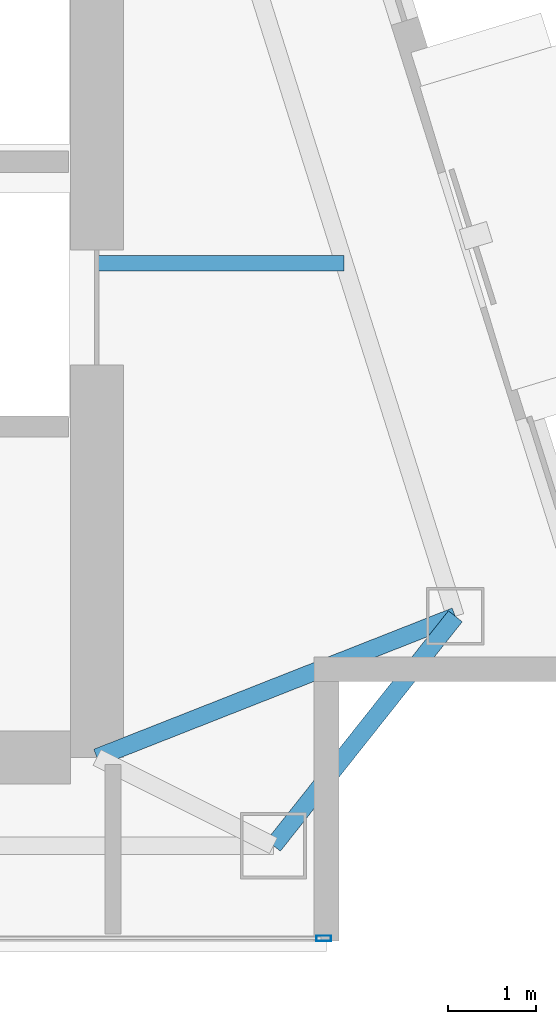
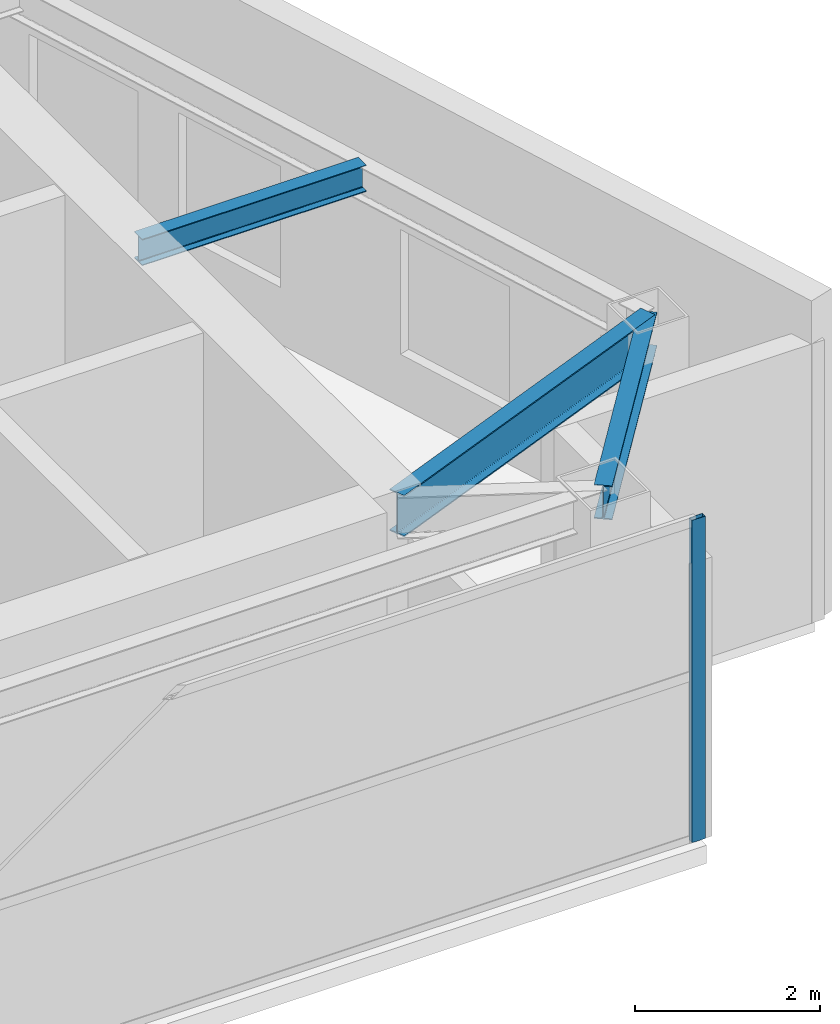
# One storey, part 12 of 25: 3 beams, 1 member, 1 element without a shape of its own.
"""IFC4 building model written with IfcOpenShell, lengths in metres."""

from ifc_helpers import new_model, si_unit, direction, frame, origin, origin_2d, place, context, subcontext, project, spatial, hollow_rectangle, i_section, extrude, material, layer, layer_set, material_profile, profile_set, type_object, element, aggregate, save


model = new_model("IFC4")

# Units and contexts
model_context = context("Model", 3, precision=1e-05, world=origin(), true_north=direction((0.0, 1.0)))
body_context = subcontext(model_context, "Body", "Model", "MODEL_VIEW")
ifc_project = project(units=[si_unit("LENGTHUNIT", "METRE"), si_unit("AREAUNIT", "SQUARE_METRE"), si_unit("VOLUMEUNIT", "CUBIC_METRE"), si_unit("PLANEANGLEUNIT", "RADIAN"), si_unit("MASSUNIT", "GRAM", prefix="KILO")], contexts=[model_context])

# Site, building, storey
site_placement = place(None, origin())
site = spatial("IfcSite", under=ifc_project, at=site_placement, CompositionType="ELEMENT")
building_placement = place(site_placement, origin())
building = spatial("IfcBuilding", under=site, at=building_placement, Name="Calvorn Quay Hotel", CompositionType="ELEMENT")
storey_placement = place(building_placement, frame((0.0, 0.0, 311.5)))
storey = spatial("IfcBuildingStorey", under=building, at=storey_placement, Name="L77", CompositionType="ELEMENT", Elevation=311.5)

# Beams
ifc_material_1 = material(Name="Steel Q355B", Category="steel")
ifc_material_profile_1 = material_profile(ifc_material_1, i_section(OverallWidth=0.199951171875, OverallDepth=0.550048828125, WebThickness=0.010009765625, FlangeThickness=0.01611328125, FilletRadius=0.01806640625, at=origin_2d()), Name="HN550x200x10x16")
ifc_profile_set_1 = profile_set([ifc_material_profile_1], Name="Steel Q355B")
beam_type_1 = type_object("IfcBeamType", Name="BM-GIRD-UPP", PredefinedType="BEAM", material=ifc_profile_set_1)
beam_1_placement = place(storey_placement, frame((32.39990234375, 4.60009765625, 3.965087890625), z_axis=(0.930404346668, 0.36653478921, 0.0), x_axis=(-0.36653478921, 0.930404346668, 0.0)))
element("IfcBeam", 1, at=beam_1_placement, inside=storey, type_object=beam_type_1, Name="Beam BG-L77-E1", PredefinedType="BEAM", context=body_context, shape_type="SweptSolid", body=[
    extrude(i_section(OverallWidth=0.199951171875, OverallDepth=0.550048828125, WebThickness=0.010009765625, FlangeThickness=0.01611328125, FilletRadius=0.01806640625, at=origin_2d()), origin(), (0.0, 0.0, 1.0), 4.36474609375),
])
ifc_material_2 = material(Name="Steel Q355B", Category="steel")
ifc_material_profile_2 = material_profile(ifc_material_2, i_section(OverallWidth=0.175048828125, OverallDepth=0.35009765625, WebThickness=0.007080078125, FlangeThickness=0.010986328125, FilletRadius=0.013916015625, at=origin_2d()), Name="HN350x175x7x11")
ifc_profile_set_2 = profile_set([ifc_material_profile_2], Name="Steel Q355B")
beam_type_2 = type_object("IfcBeamType", Name="BM-JOIST-SEC", PredefinedType="JOIST", material=ifc_profile_set_2)
beam_2_placement = place(storey_placement, frame((32.39990234375, 10.199951171875, 4.06494140625), z_axis=(1.0, 0.0, 0.0), x_axis=(0.0, 1.0, 0.0)))
element("IfcBeam", 2, at=beam_2_placement, inside=storey, type_object=beam_type_2, Name="Beam BJ-L77-E1", PredefinedType="JOIST", context=body_context, shape_type="SweptSolid", body=[
    extrude(i_section(OverallWidth=0.175048828125, OverallDepth=0.35009765625, WebThickness=0.007080078125, FlangeThickness=0.010986328125, FilletRadius=0.013916015625, at=origin_2d()), origin(), (0.0, 0.0, 1.0), 2.801025390625),
])
ifc_material_3 = material(Name="Steel Q355B", Category="steel")
ifc_material_profile_3 = material_profile(ifc_material_3, i_section(OverallWidth=0.199951171875, OverallDepth=0.449951171875, WebThickness=0.009033203125, FlangeThickness=0.013916015625, FilletRadius=0.01611328125, at=origin_2d()), Name="HN450x200x9x14")
ifc_profile_set_3 = profile_set([ifc_material_profile_3], Name="Steel Q355B")
beam_type_3 = type_object("IfcBeamType", Name="BM-SPANDREL-Z3", PredefinedType="SPANDREL", material=ifc_profile_set_3)
beam_3_placement = place(storey_placement, frame((34.39990234375, 3.60009765625, 4.014892578125), z_axis=(0.621224908236, 0.78363232028, 0.0), x_axis=(-0.78363232028, 0.621224908236, 0.0)))
element("IfcBeam", 3, at=beam_3_placement, inside=storey, type_object=beam_type_3, Name="Beam BSP-L77-S4", PredefinedType="SPANDREL", context=body_context, shape_type="SweptSolid", body=[
    extrude(i_section(OverallWidth=0.199951171875, OverallDepth=0.449951171875, WebThickness=0.009033203125, FlangeThickness=0.013916015625, FilletRadius=0.01611328125, at=origin_2d()), origin(), (0.0, 0.0, 1.0), 3.317626953125),
])

# Curtain wall, member
ifc_material_4 = material(Name="Champagne Bronze Anodised Aluminium and Low-E Glass", Category="aluminium")
ifc_layer = layer(ifc_material_4, 0.219970703125)
ifc_layer_set = layer_set([ifc_layer], Name="CW-SYS-Z4")
curtain_wall_type = type_object("IfcCurtainWallType", Name="CW-SYS-Z4", PredefinedType="NOTDEFINED", material=ifc_layer_set)
curtain_wall_placement = place(storey_placement, origin())
curtain_wall = element("IfcCurtainWall", 4, at=curtain_wall_placement, inside=storey, type_object=curtain_wall_type, Name="Tower South Waterfront Curtain Wall (L77)", PredefinedType="NOTDEFINED")
ifc_material_5 = material(Name="Champagne Bronze Anodised Aluminium 6063-T6", Category="aluminium")
ifc_material_profile_4 = material_profile(ifc_material_5, hollow_rectangle(XDim=0.06494140625, YDim=0.169921875, WallThickness=0.00341796875, at=origin_2d()), Name="ALU-M170x65x3.5")
ifc_profile_set_4 = profile_set([ifc_material_profile_4], Name="Champagne Bronze Anodised Aluminium 6063-T6")
member_type = type_object("IfcMemberType", Name="CW-SYS-Z4-MUL", PredefinedType="MULLION", material=ifc_profile_set_4)
member_placement = place(storey_placement, frame((34.969970703125, 2.550048828125, 0.0), z_axis=(0.0, 0.0, 1.0), x_axis=(0.0, 1.0, 0.0)))
member = element("IfcMember", 5, at=member_placement, type_object=member_type, Name="CW-L77-S mullion 4", PredefinedType="MULLION", context=body_context, shape_type="SweptSolid", body=[
    extrude(hollow_rectangle(XDim=0.06494140625, YDim=0.169921875, WallThickness=0.00341796875, at=origin_2d()), origin(), (0.0, 0.0, 1.0), 4.260009765625),
])
aggregate(curtain_wall, [member])

save(model, "model.ifc")
